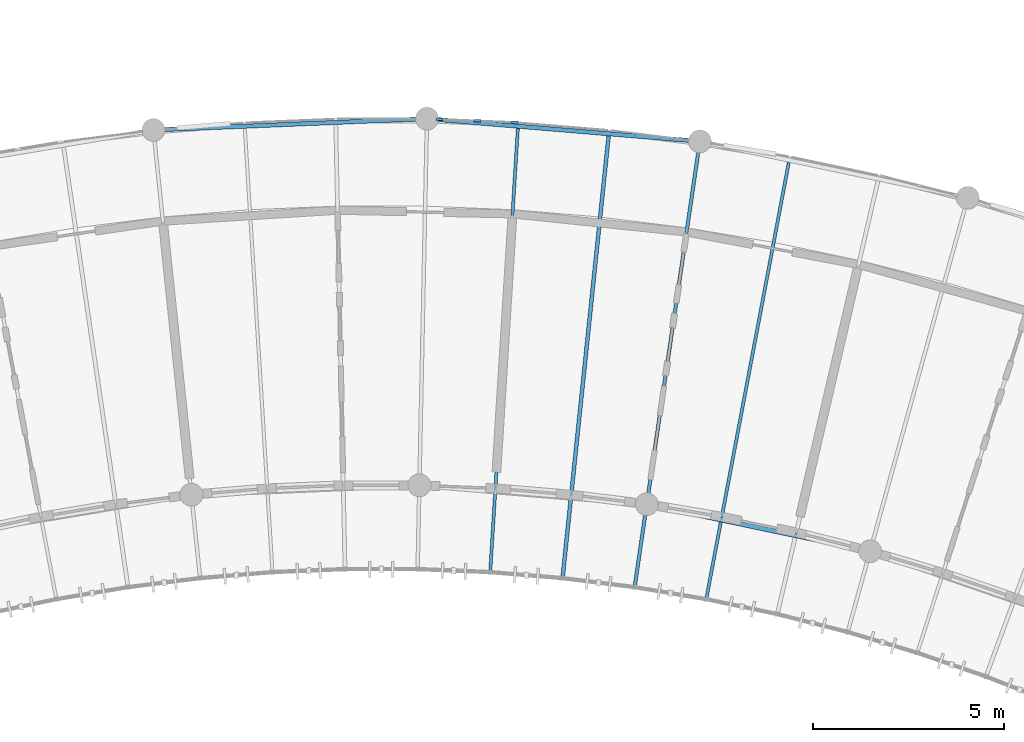
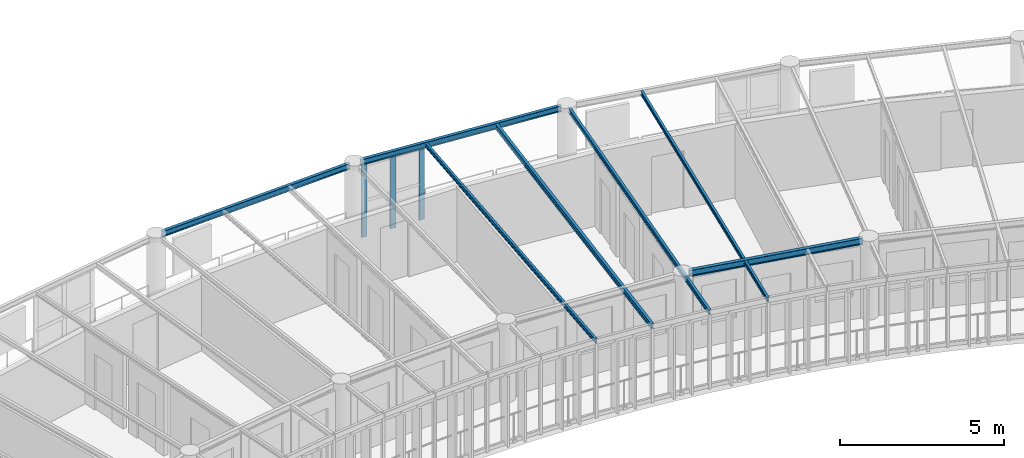
# One storey, part 35 of 101: 7 beams, 3 members, 1 element without a shape of its own.
"""IFC4 building model written with IfcOpenShell, lengths in metres."""

from ifc_helpers import new_model, si_unit, direction, frame, origin, origin_2d, place, context, subcontext, project, spatial, rectangle, i_section, extrude, material, layer, layer_set, material_profile, profile_set, type_object, element, aggregate, save


model = new_model("IFC4")

# Units and contexts
model_context = context("Model", 3, precision=1e-05, world=origin(), true_north=direction((0.0, 1.0)))
body_context = subcontext(model_context, "Body", "Model", "MODEL_VIEW")
ifc_project = project(units=[si_unit("LENGTHUNIT", "METRE"), si_unit("AREAUNIT", "SQUARE_METRE"), si_unit("VOLUMEUNIT", "CUBIC_METRE"), si_unit("PLANEANGLEUNIT", "RADIAN"), si_unit("MASSUNIT", "GRAM", prefix="KILO"), si_unit("POWERUNIT", "WATT"), si_unit("THERMODYNAMICTEMPERATUREUNIT", "KELVIN")], contexts=[model_context])

# Site, building, storey
site_placement = place(None, origin())
site = spatial("IfcSite", under=ifc_project, at=site_placement, CompositionType="ELEMENT")
building_placement = place(site_placement, origin())
building = spatial("IfcBuilding", under=site, at=building_placement, Name="Ruvembo Vaulted Housing Court", CompositionType="ELEMENT")
storey_placement = place(building_placement, frame((0.0, 0.0, 17.300048828125)))
storey = spatial("IfcBuildingStorey", under=building, at=storey_placement, Name="L05", CompositionType="ELEMENT", Elevation=17.300048828125)

# Beams
ifc_material_1 = material(Name="Steel S355J2", Category="steel")
ifc_material_profile_1 = material_profile(ifc_material_1, i_section(OverallWidth=0.08203125, OverallDepth=0.159912109375, WebThickness=0.0048828125, FlangeThickness=0.00732421875, FilletRadius=0.009033203125, at=origin_2d()), Name="IPE 160")
ifc_profile_set_1 = profile_set([ifc_material_profile_1], Name="Steel S355J2")
beam_type_1 = type_object("IfcBeamType", Name="BM-ST-IPE160", PredefinedType="JOIST", material=ifc_profile_set_1)
for number, where, z_axis, x_axis, name in (
    (1, (120.574951171875, 107.33935546875, 2.85205078125), (-0.062232670177, -0.998061668817, 0.0), (0.998061668817, -0.062232670177, 0.0), "Scoop SC3 L05 Radial Steel Joist 16"),
    (2, (127.66943359375, 106.451416015625, 2.85205078125), (-0.185715658809, -0.982603528425, 0.0), (0.982603528425, -0.185715658809, 0.0), "Scoop SC3 L05 Radial Steel Joist 19"),
):
    element("IfcBeam", number, at=place(storey_placement, frame(where, z_axis=z_axis, x_axis=x_axis)), inside=storey, type_object=beam_type_1, Name=name, PredefinedType="JOIST", context=body_context, shape_type="SweptSolid", body=[
        extrude(i_section(OverallWidth=0.08203125, OverallDepth=0.159912109375, WebThickness=0.0048828125, FlangeThickness=0.00732421875, FilletRadius=0.009033203125, at=origin_2d()), origin(), (0.0, 0.0, 1.0), 11.690673828125),
    ])
ifc_material_profile_2 = material_profile(ifc_material_1, i_section(OverallWidth=0.091064453125, OverallDepth=0.179931640625, WebThickness=0.00537109375, FlangeThickness=0.008056640625, FilletRadius=0.009033203125, at=origin_2d()), Name="IPE 180")
ifc_profile_set_2 = profile_set([ifc_material_profile_2], Name="Steel S355J2")
beam_type_2 = type_object("IfcBeamType", Name="BM-ST-IPE180", PredefinedType="JOIST", material=ifc_profile_set_2)
beam_1_placement = place(storey_placement, frame((125.3115234375, 106.80517578125, 2.842041015625), z_axis=(-0.144765152208, -0.989466043231, 0.0), x_axis=(0.989466043231, -0.144765152208, 0.0)))
element("IfcBeam", 3, at=beam_1_placement, inside=storey, type_object=beam_type_2, Name="Scoop SC3 L05 Radial Steel Joist 18", PredefinedType="JOIST", context=body_context, shape_type="SweptSolid", body=[
    extrude(i_section(OverallWidth=0.091064453125, OverallDepth=0.179931640625, WebThickness=0.00537109375, FlangeThickness=0.008056640625, FilletRadius=0.009033203125, at=origin_2d()), origin(), (0.0, 0.0, 1.0), 11.650146484375),
])
ifc_material_profile_3 = material_profile(ifc_material_1, i_section(OverallWidth=0.10009765625, OverallDepth=0.199951171875, WebThickness=0.005615234375, FlangeThickness=0.008544921875, FilletRadius=0.011962890625, at=origin_2d()), Name="IPE 200")
ifc_profile_set_3 = profile_set([ifc_material_profile_3], Name="Steel S355J2")
beam_type_3 = type_object("IfcBeamType", Name="BM-ST-IPE200", PredefinedType="BEAM", material=ifc_profile_set_3)
beam_2_placement = place(storey_placement, frame((122.951416015625, 107.1416015625, 2.83203125), z_axis=(-0.103603071439, -0.994618722722, 0.0), x_axis=(0.994618722722, -0.103603071439, 0.0)))
element("IfcBeam", 4, at=beam_2_placement, inside=storey, type_object=beam_type_3, Name="Scoop SC3 L05 Radial Steel Joist 17", PredefinedType="BEAM", context=body_context, shape_type="SweptSolid", body=[
    extrude(i_section(OverallWidth=0.10009765625, OverallDepth=0.199951171875, WebThickness=0.005615234375, FlangeThickness=0.008544921875, FilletRadius=0.011962890625, at=origin_2d()), origin(), (0.0, 0.0, 1.0), 11.690673828125),
])
ifc_material_profile_4 = material_profile(ifc_material_1, i_section(OverallWidth=0.110107421875, OverallDepth=0.219970703125, WebThickness=0.005859375, FlangeThickness=0.00927734375, FilletRadius=0.011962890625, at=origin_2d()), Name="IPE 220")
ifc_profile_set_4 = profile_set([ifc_material_profile_4], Name="Steel S355J2")
beam_type_4 = type_object("IfcBeamType", Name="BM-ST-IPE220", PredefinedType="SPANDREL", material=ifc_profile_set_4)
for number, where, z_axis, x_axis, name in (
    (5, (111.222900390625, 107.298095703125, 2.823974609375), (0.999139915683, 0.041465996789, 0.0), (-0.041465996789, 0.999139915683, 0.0), "Scoop SC3 L05 Chord Girder B12"),
    (6, (118.384765625, 107.57177734375, 2.823974609375), (0.996558148459, -0.082896663017, 0.0), (0.082896663017, 0.996558148459, 0.0), "Scoop SC3 L05 Chord Girder B15"),
):
    element("IfcBeam", number, at=place(storey_placement, frame(where, z_axis=z_axis, x_axis=x_axis)), inside=storey, type_object=beam_type_4, Name=name, PredefinedType="SPANDREL", context=body_context, shape_type="SweptSolid", body=[
        extrude(i_section(OverallWidth=0.110107421875, OverallDepth=0.219970703125, WebThickness=0.005859375, FlangeThickness=0.00927734375, FilletRadius=0.011962890625, at=origin_2d()), origin(), (0.0, 0.0, 1.0), 6.78857421875),
    ])
ifc_material_profile_5 = material_profile(ifc_material_1, i_section(OverallWidth=0.1201171875, OverallDepth=0.239990234375, WebThickness=0.006103515625, FlangeThickness=0.009765625, FilletRadius=0.014892578125, at=origin_2d()), Name="IPE 240")
ifc_profile_set_5 = profile_set([ifc_material_profile_5], Name="Steel S355J2")
beam_type_5 = type_object("IfcBeamType", Name="BM-ST-IPE240", PredefinedType="BEAM", material=ifc_profile_set_5)
beam_3_placement = place(storey_placement, frame((124.13525390625, 97.455078125, 2.81396484375), z_axis=(0.978540985452, -0.206052274412, 0.0), x_axis=(0.206052274412, 0.978540985452, 0.0)))
element("IfcBeam", 7, at=beam_3_placement, inside=storey, type_object=beam_type_5, Name="Scoop SC3 L05 Chord Girder F18", PredefinedType="BEAM", context=body_context, shape_type="SweptSolid", body=[
    extrude(i_section(OverallWidth=0.1201171875, OverallDepth=0.239990234375, WebThickness=0.006103515625, FlangeThickness=0.009765625, FilletRadius=0.014892578125, at=origin_2d()), origin(), (0.0, 0.0, 1.0), 5.59375),
])

# Curtain wall, members
ifc_material_2 = material(Name="Anodised Aluminium and Solar-Control Glass", Category="aluminium")
ifc_layer = layer(ifc_material_2, 0.1201171875, Name="Anodised Aluminium and Solar-Control Glass")
ifc_layer_set = layer_set([ifc_layer], Name="Anodised Aluminium and Solar-Control Glass")
curtain_wall_type = type_object("IfcCurtainWallType", Name="CW-SCOOP-GAL", PredefinedType="NOTDEFINED", material=ifc_layer_set)
curtain_wall_placement = place(storey_placement, origin())
curtain_wall = element("IfcCurtainWall", 8, at=curtain_wall_placement, inside=storey, type_object=curtain_wall_type, Name="L05 Curtain Wall CW-L05-0086", PredefinedType="NOTDEFINED")
ifc_material_3 = material(Name="Anodised Aluminium 6063-T6", Category="aluminium")
ifc_material_profile_6 = material_profile(ifc_material_3, rectangle(XDim=0.06494140625, YDim=0.179931640625, at=origin_2d()), Name="ALU 65x180")
ifc_profile_set_6 = profile_set([ifc_material_profile_6], Name="Anodised Aluminium 6063-T6")
member_type = type_object("IfcMemberType", Name="CW-MUL-65x180", PredefinedType="MULLION", material=ifc_profile_set_6)
member_1_placement = place(storey_placement, frame((118.527587890625, 107.57373046875, 0.0), z_axis=(0.0, 0.0, 1.0), x_axis=(0.041502144927, 0.999138414819, 0.0)))
member_1 = element("IfcMember", 9, at=member_1_placement, type_object=member_type, Name="CW6 mullion 1", PredefinedType="MULLION", context=body_context, shape_type="SweptSolid", body=[
    extrude(rectangle(XDim=0.06494140625, YDim=0.179931640625, at=origin_2d()), origin(), (0.0, 0.0, 1.0), 2.68994140625),
])
member_2_placement = place(storey_placement, frame((119.5146484375, 107.532958984375, 0.0), z_axis=(0.0, 0.0, 1.0), x_axis=(0.041502144927, 0.999138414819, 0.0)))
member_2 = element("IfcMember", 10, at=member_2_placement, type_object=member_type, Name="CW6 mullion 2", PredefinedType="MULLION", context=body_context, shape_type="SweptSolid", body=[
    extrude(rectangle(XDim=0.06494140625, YDim=0.179931640625, at=origin_2d()), origin(), (0.0, 0.0, 1.0), 2.68994140625),
])
member_3_placement = place(storey_placement, frame((120.501708984375, 107.491943359375, 0.0), z_axis=(0.0, 0.0, 1.0), x_axis=(0.041502144927, 0.999138414819, 0.0)))
member_3 = element("IfcMember", 11, at=member_3_placement, type_object=member_type, Name="CW6 mullion 3", PredefinedType="MULLION", context=body_context, shape_type="SweptSolid", body=[
    extrude(rectangle(XDim=0.06494140625, YDim=0.179931640625, at=origin_2d()), origin(), (0.0, 0.0, 1.0), 2.68994140625),
])
aggregate(curtain_wall, [member_1, member_2, member_3])

save(model, "model.ifc")
